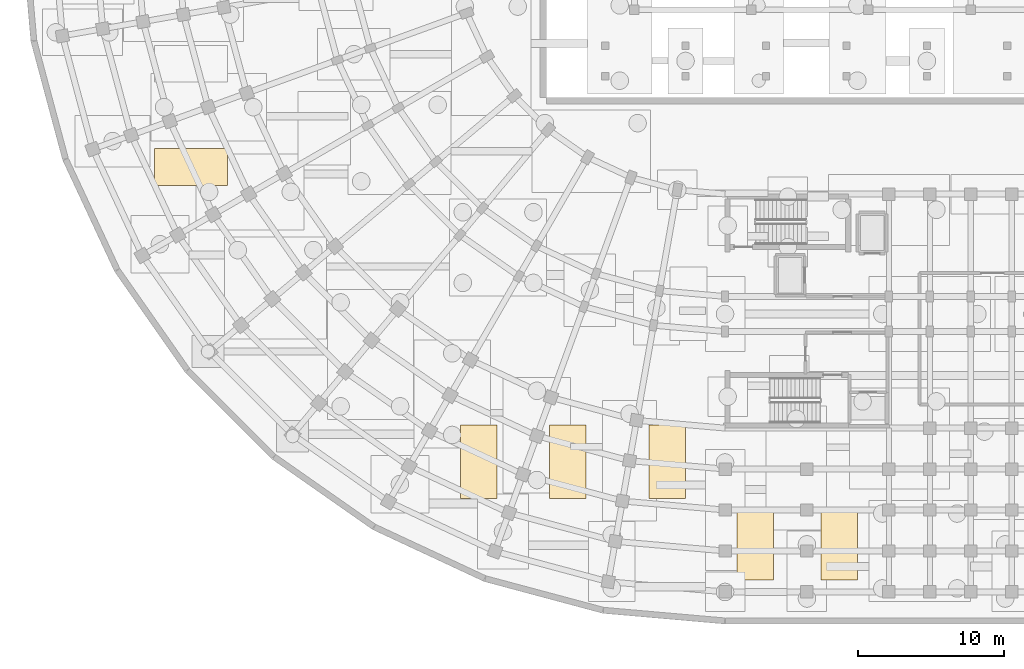
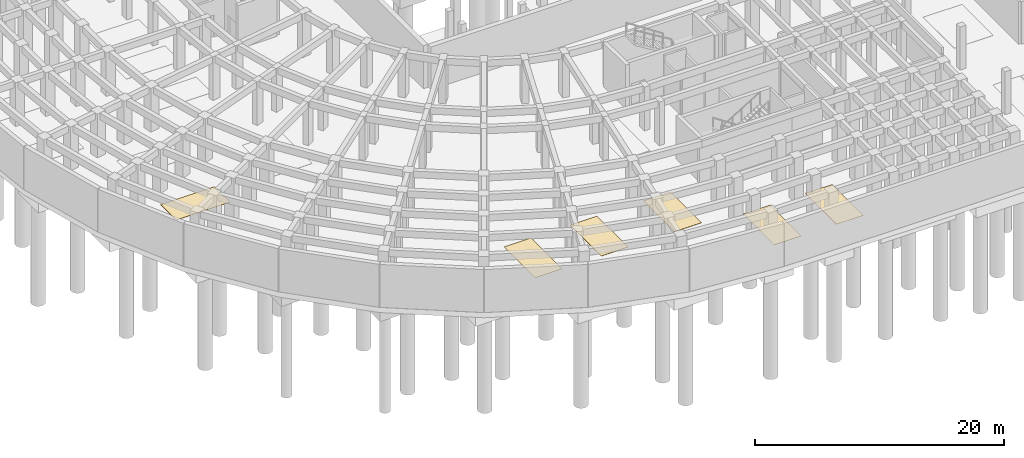
# One storey, part 40 of 53: 6 coverings.
"""IFC4 building model written with IfcOpenShell, lengths in metres."""

from ifc_helpers import new_model, si_unit, direction, frame, origin, place, context, subcontext, project, spatial, polyline, outline, extrude, material, layer, layer_set, type_object, element, save


model = new_model("IFC4")

# Units and contexts
model_context = context("Model", 3, precision=1e-05, world=origin(), true_north=direction((0.0, 1.0)))
body_context = subcontext(model_context, "Body", "Model", "MODEL_VIEW")
ifc_project = project(units=[si_unit("LENGTHUNIT", "METRE"), si_unit("AREAUNIT", "SQUARE_METRE"), si_unit("VOLUMEUNIT", "CUBIC_METRE"), si_unit("PLANEANGLEUNIT", "RADIAN"), si_unit("MASSUNIT", "GRAM", prefix="KILO")], contexts=[model_context])

# Site, building, storey
site_placement = place(None, origin())
site = spatial("IfcSite", under=ifc_project, at=site_placement, CompositionType="ELEMENT")
building_placement = place(site_placement, origin())
building = spatial("IfcBuilding", under=site, at=building_placement, Name="Kiranvali Square Residences", CompositionType="ELEMENT")
storey_placement = place(building_placement, frame((0.0, 0.0, -4.5)))
storey = spatial("IfcBuildingStorey", under=building, at=storey_placement, Name="B1", CompositionType="ELEMENT", Elevation=-4.5)

# Coverings
ifc_material = material(Name="Polished terrazzo and anti-slip vitrified floor finish", Category="stone")
ifc_layer = layer(ifc_material, 0.014892578125)
ifc_layer_set = layer_set([ifc_layer], Name="Polished terrazzo and anti-slip vitrified floor finish")
covering_type = type_object("IfcCoveringType", Name="COV-BAY-STD", PredefinedType="FLOORING", material=ifc_layer_set)
covering_1_placement = place(storey_placement, origin())
element("IfcCovering", 1, at=covering_1_placement, inside=storey, type_object=covering_type, Name="Standard Car Parking Bay P-029", PredefinedType="FLOORING", context=body_context, shape_type="SweptSolid", body=[
    extrude(outline(polyline([(30.10009765625, 8.60009765625), (32.60009765625, 8.60009765625), (32.60009765625, 13.60009765625), (30.10009765625, 13.60009765625), (30.10009765625, 8.60009765625)])), origin(), (0.0, 0.0, 1.0), 0.014892578125),
])
covering_2_placement = place(storey_placement, origin())
element("IfcCovering", 2, at=covering_2_placement, inside=storey, type_object=covering_type, Name="Standard Car Parking Bay P-030", PredefinedType="FLOORING", context=body_context, shape_type="SweptSolid", body=[
    extrude(outline(polyline([(36.199951171875, 8.60009765625), (38.699951171875, 8.60009765625), (38.699951171875, 13.60009765625), (36.199951171875, 13.60009765625), (36.199951171875, 8.60009765625)])), origin(), (0.0, 0.0, 1.0), 0.014892578125),
])
covering_3_placement = place(storey_placement, origin())
element("IfcCovering", 3, at=covering_3_placement, inside=storey, type_object=covering_type, Name="Standard Car Parking Bay P-031", PredefinedType="FLOORING", context=body_context, shape_type="SweptSolid", body=[
    extrude(outline(polyline([(43.0, 8.60009765625), (45.5, 8.60009765625), (45.5, 13.60009765625), (43.0, 13.60009765625), (43.0, 8.60009765625)])), origin(), (0.0, 0.0, 1.0), 0.014892578125),
])
covering_4_placement = place(storey_placement, origin())
element("IfcCovering", 4, at=covering_4_placement, inside=storey, type_object=covering_type, Name="Standard Car Parking Bay P-035", PredefinedType="FLOORING", context=body_context, shape_type="SweptSolid", body=[
    extrude(outline(polyline([(49.0, 3.0), (51.5, 3.0), (51.5, 8.0), (49.0, 8.0), (49.0, 3.0)])), origin(), (0.0, 0.0, 1.0), 0.014892578125),
])
covering_5_placement = place(storey_placement, origin())
element("IfcCovering", 5, at=covering_5_placement, inside=storey, type_object=covering_type, Name="Standard Car Parking Bay P-036", PredefinedType="FLOORING", context=body_context, shape_type="SweptSolid", body=[
    extrude(outline(polyline([(54.75, 3.0), (57.25, 3.0), (57.25, 8.0), (54.75, 8.0), (54.75, 3.0)])), origin(), (0.0, 0.0, 1.0), 0.014892578125),
])
covering_6_placement = place(storey_placement, origin())
element("IfcCovering", 6, at=covering_6_placement, inside=storey, type_object=covering_type, Name="Standard Car Parking Bay P-044", PredefinedType="FLOORING", context=body_context, shape_type="SweptSolid", body=[
    extrude(outline(polyline([(9.199951171875, 30.0), (14.199951171875, 30.0), (14.199951171875, 32.5), (9.199951171875, 32.5), (9.199951171875, 30.0)])), origin(), (0.0, 0.0, 1.0), 0.014892578125),
])

save(model, "model.ifc")
